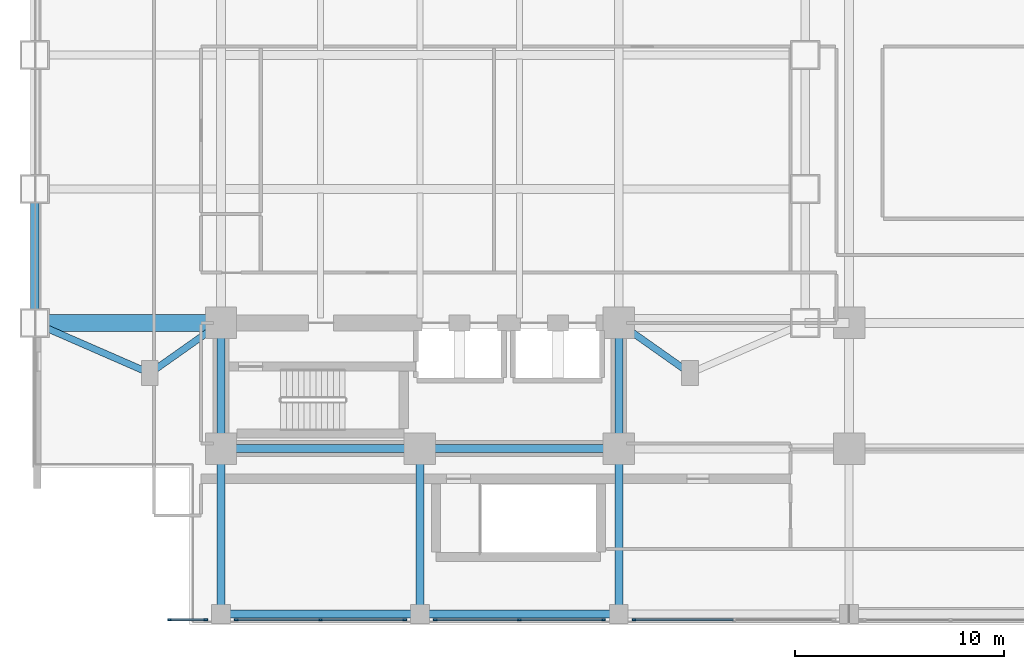
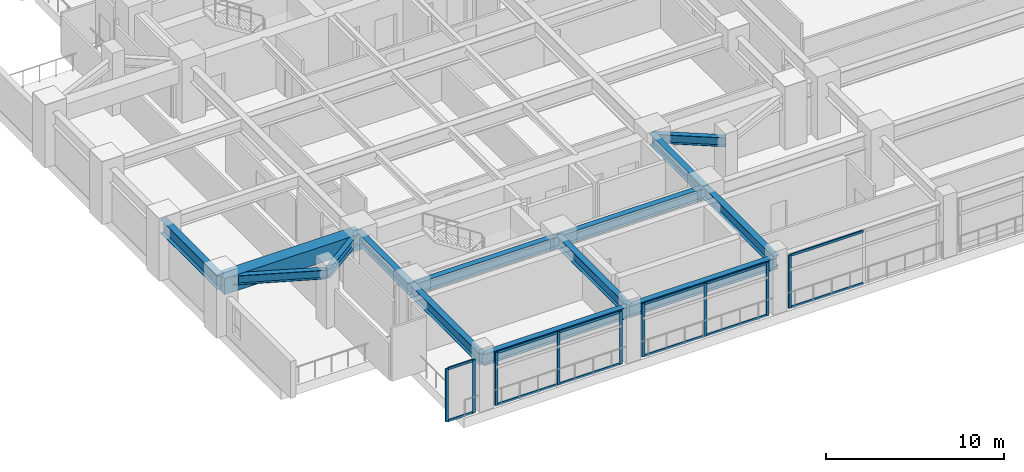
# One storey, part 2 of 27: 21 members, 14 beams, 4 elements without a shape of their own.
"""IFC4 building model written with IfcOpenShell, lengths in metres."""

from ifc_helpers import new_model, si_unit, direction, frame, origin, origin_2d, place, context, subcontext, project, spatial, rectangle, i_section, extrude, material, material_profile, profile_set, type_object, element, aggregate, save


model = new_model("IFC4")

# Units and contexts
model_context = context("Model", 3, precision=1e-05, world=origin(), true_north=direction((0.0, 1.0)))
body_context = subcontext(model_context, "Body", "Model", "MODEL_VIEW")
ifc_project = project(units=[si_unit("LENGTHUNIT", "METRE"), si_unit("AREAUNIT", "SQUARE_METRE"), si_unit("VOLUMEUNIT", "CUBIC_METRE"), si_unit("PLANEANGLEUNIT", "RADIAN"), si_unit("MASSUNIT", "GRAM", prefix="KILO")], contexts=[model_context])

# Site, building, storey
site_placement = place(None, origin())
site = spatial("IfcSite", under=ifc_project, at=site_placement, CompositionType="ELEMENT")
building_placement = place(site_placement, origin())
building = spatial("IfcBuilding", under=site, at=building_placement, Name="Mirazonda Arch Towers", CompositionType="ELEMENT")
storey_placement = place(building_placement, frame((0.0, 0.0, 18.10009765625)))
storey = spatial("IfcBuildingStorey", under=building, at=storey_placement, Name="L04", CompositionType="ELEMENT", Elevation=18.10009765625)

# Beams
ifc_material_1 = material(Name="Steel ASTM A992 Grade 50", Category="steel")
ifc_material_profile_1 = material_profile(ifc_material_1, i_section(OverallWidth=0.381103515625, OverallDepth=0.77294921875, WebThickness=0.0166015625, FlangeThickness=0.027099609375, at=origin_2d()), Name="W30X173")
ifc_profile_set_1 = profile_set([ifc_material_profile_1], Name="Steel ASTM A992 Grade 50")
beam_type_1 = type_object("IfcBeamType", Name="BM-EXT-W30X173", PredefinedType="USERDEFINED", material=ifc_profile_set_1)
for number, where, z_axis, x_axis, name in (
    (1, (11.0, 4.5, 3.263427734375), (1.0, 0.0, 0.0), (0.0, 1.0, 0.0), "L04 Floor Beam BM-POD-L04-PS-1"),
    (2, (20.5, 4.5, 3.263427734375), (1.0, 0.0, 0.0), (0.0, 1.0, 0.0), "L04 Floor Beam BM-POD-L04-PS-2"),
):
    element("IfcBeam", number, at=place(storey_placement, frame(where, z_axis=z_axis, x_axis=x_axis)), inside=storey, type_object=beam_type_1, Name=name, ObjectType="GIRDER", PredefinedType="USERDEFINED", context=body_context, shape_type="SweptSolid", body=[
        extrude(i_section(OverallWidth=0.381103515625, OverallDepth=0.77294921875, WebThickness=0.0166015625, FlangeThickness=0.027099609375, at=origin_2d()), origin(), (0.0, 0.0, 1.0), 9.5),
    ])
ifc_material_profile_2 = material_profile(ifc_material_1, i_section(OverallWidth=0.41796875, OverallDepth=0.927001953125, WebThickness=0.019287109375, FlangeThickness=0.031982421875, at=origin_2d()), Name="W36X231")
ifc_profile_set_2 = profile_set([ifc_material_profile_2], Name="Steel ASTM A992 Grade 50")
beam_type_2 = type_object("IfcBeamType", Name="BM-EXT-W36X231", PredefinedType="USERDEFINED", material=ifc_profile_set_2)
beam_1_placement = place(storey_placement, frame((2.10009765625, 18.39990234375, 3.1865234375), z_axis=(0.0, 1.0, 0.0), x_axis=(-1.0, 0.0, 0.0)))
element("IfcBeam", 3, at=beam_1_placement, inside=storey, type_object=beam_type_2, Name="L04 Floor Beam BM-T1-L04-NS-W-18", ObjectType="GIRDER", PredefinedType="USERDEFINED", context=body_context, shape_type="SweptSolid", body=[
    extrude(i_section(OverallWidth=0.41796875, OverallDepth=0.927001953125, WebThickness=0.019287109375, FlangeThickness=0.031982421875, at=origin_2d()), origin(), (0.0, 0.0, 1.0), 6.400146484375),
])
ifc_material_profile_3 = material_profile(ifc_material_1, i_section(OverallWidth=0.324951171875, OverallDepth=0.615966796875, WebThickness=0.013916015625, FlangeThickness=0.021484375, at=origin_2d()), Name="W24X117")
ifc_profile_set_3 = profile_set([ifc_material_profile_3], Name="Steel ASTM A992 Grade 50")
beam_type_3 = type_object("IfcBeamType", Name="BM-INT-W24X117", PredefinedType="BEAM", material=ifc_profile_set_3)
beam_2_placement = place(storey_placement, frame((7.60009765625, 16.0, 3.341796875), z_axis=(0.816971114901, 0.576678591087, 0.0), x_axis=(-0.576678591087, 0.816971114901, 0.0)))
element("IfcBeam", 4, at=beam_2_placement, inside=storey, type_object=beam_type_3, Name="L04 Floor Beam BM-T1-L04-PL-SW1", PredefinedType="BEAM", context=body_context, shape_type="SweptSolid", body=[
    extrude(i_section(OverallWidth=0.324951171875, OverallDepth=0.615966796875, WebThickness=0.013916015625, FlangeThickness=0.021484375, at=origin_2d()), origin(), (0.0, 0.0, 1.0), 4.16162109375),
])
beam_3_placement = place(storey_placement, frame((7.60009765625, 16.0, 3.341796875), z_axis=(-0.916545343703, 0.399930785183, 0.0), x_axis=(-0.399930785183, -0.916545343703, 0.0)))
element("IfcBeam", 5, at=beam_3_placement, inside=storey, type_object=beam_type_3, Name="L04 Floor Beam BM-T1-L04-PL-SW2", PredefinedType="BEAM", context=body_context, shape_type="SweptSolid", body=[
    extrude(i_section(OverallWidth=0.324951171875, OverallDepth=0.615966796875, WebThickness=0.013916015625, FlangeThickness=0.021484375, at=origin_2d()), origin(), (0.0, 0.0, 1.0), 6.000732421875),
])
beam_4_placement = place(storey_placement, frame((33.39990234375, 16.0, 3.341796875), z_axis=(-0.816971114901, 0.576678591087, 0.0), x_axis=(-0.576678591087, -0.816971114901, 0.0)))
element("IfcBeam", 6, at=beam_4_placement, inside=storey, type_object=beam_type_3, Name="L04 Floor Beam BM-T1-L04-PL-SE1", PredefinedType="BEAM", context=body_context, shape_type="SweptSolid", body=[
    extrude(i_section(OverallWidth=0.324951171875, OverallDepth=0.615966796875, WebThickness=0.013916015625, FlangeThickness=0.021484375, at=origin_2d()), origin(), (0.0, 0.0, 1.0), 4.16162109375),
])
ifc_material_profile_4 = material_profile(ifc_material_1, i_section(OverallWidth=0.381103515625, OverallDepth=0.77294921875, WebThickness=0.0166015625, FlangeThickness=0.027099609375, at=origin_2d()), Name="W30X173")
ifc_profile_set_4 = profile_set([ifc_material_profile_4], Name="Steel ASTM A992 Grade 50")
beam_type_4 = type_object("IfcBeamType", Name="BM-INT-W30X173", PredefinedType="USERDEFINED", material=ifc_profile_set_4)
for number, where, z_axis, x_axis, name in (
    (7, (11.0, 12.39990234375, 3.263427734375), (1.0, 0.0, 0.0), (0.0, 1.0, 0.0), "L04 Floor Beam BM-T1-L04-CS1"),
    (8, (20.5, 12.39990234375, 3.263427734375), (1.0, 0.0, 0.0), (0.0, 1.0, 0.0), "L04 Floor Beam BM-T1-L04-CS2"),
):
    element("IfcBeam", number, at=place(storey_placement, frame(where, z_axis=z_axis, x_axis=x_axis)), inside=storey, type_object=beam_type_4, Name=name, ObjectType="GIRDER", PredefinedType="USERDEFINED", context=body_context, shape_type="SweptSolid", body=[
        extrude(i_section(OverallWidth=0.381103515625, OverallDepth=0.77294921875, WebThickness=0.0166015625, FlangeThickness=0.027099609375, at=origin_2d()), origin(), (0.0, 0.0, 1.0), 9.5),
    ])
for number, where, z_axis, x_axis, name in (
    (9, (11.0, 12.39990234375, 3.263427734375), (0.0, 1.0, 0.0), (-1.0, 0.0, 0.0), "L04 Floor Beam BM-T1-L04-CSW"),
    (10, (30.0, 12.39990234375, 3.263427734375), (0.0, 1.0, 0.0), (-1.0, 0.0, 0.0), "L04 Floor Beam BM-T1-L04-CSE"),
):
    element("IfcBeam", number, at=place(storey_placement, frame(where, z_axis=z_axis, x_axis=x_axis)), inside=storey, type_object=beam_type_4, Name=name, ObjectType="GIRDER", PredefinedType="USERDEFINED", context=body_context, shape_type="SweptSolid", body=[
        extrude(i_section(OverallWidth=0.381103515625, OverallDepth=0.77294921875, WebThickness=0.0166015625, FlangeThickness=0.027099609375, at=origin_2d()), origin(), (0.0, 0.0, 1.0), 6.0),
    ])
for number, where, z_axis, x_axis, name in (
    (11, (11.0, 4.5, 3.263427734375), (0.0, 1.0, 0.0), (-1.0, 0.0, 0.0), "L04 Floor Beam BM-POD-L04-PCS-1"),
    (12, (20.5, 4.5, 3.263427734375), (0.0, 1.0, 0.0), (-1.0, 0.0, 0.0), "L04 Floor Beam BM-POD-L04-PCS-2"),
    (13, (30.0, 4.5, 3.263427734375), (0.0, 1.0, 0.0), (-1.0, 0.0, 0.0), "L04 Floor Beam BM-POD-L04-PCS-3"),
):
    element("IfcBeam", number, at=place(storey_placement, frame(where, z_axis=z_axis, x_axis=x_axis)), inside=storey, type_object=beam_type_4, Name=name, ObjectType="GIRDER", PredefinedType="USERDEFINED", context=body_context, shape_type="SweptSolid", body=[
        extrude(i_section(OverallWidth=0.381103515625, OverallDepth=0.77294921875, WebThickness=0.0166015625, FlangeThickness=0.027099609375, at=origin_2d()), origin(), (0.0, 0.0, 1.0), 7.89990234375),
    ])
ifc_material_2 = material(Name="Concrete C60/75", Category="concrete")
ifc_material_profile_5 = material_profile(ifc_material_2, rectangle(XDim=0.800048828125, YDim=1.10009765625, at=origin_2d()), Name="RCCB800x1100")
ifc_profile_set_5 = profile_set([ifc_material_profile_5], Name="Concrete C60/75")
beam_type_5 = type_object("IfcBeamType", Name="CB-INT-RCCB800x1100", PredefinedType="SPANDREL", material=ifc_profile_set_5)
beam_5_placement = place(storey_placement, frame((2.10009765625, 18.39990234375, 3.099853515625), z_axis=(1.0, 0.0, 0.0), x_axis=(0.0, 1.0, 0.0)))
element("IfcBeam", 14, at=beam_5_placement, inside=storey, type_object=beam_type_5, Name="L04 Floor Beam CB-T1-L04-SW", PredefinedType="SPANDREL", context=body_context, shape_type="SweptSolid", body=[
    extrude(rectangle(XDim=0.800048828125, YDim=1.10009765625, at=origin_2d()), origin(), (0.0, 0.0, 1.0), 8.89990234375),
])

# Curtain wall, member
ifc_material_3 = material(Name="Anodised Aluminium and Low-E Glass", Category="aluminium")
curtain_wall_type = type_object("IfcCurtainWallType", Name="CW-POD-STORE", PredefinedType="NOTDEFINED", material=ifc_material_3)
curtain_wall_1_placement = place(storey_placement, origin())
curtain_wall_1 = element("IfcCurtainWall", 15, at=curtain_wall_1_placement, inside=storey, type_object=curtain_wall_type, Name="L04 Curtain Wall CW-L04-S1-S5", PredefinedType="NOTDEFINED")
ifc_material_4 = material(Name="Anodised Aluminium Alloy", Category="aluminium")
ifc_material_profile_6 = material_profile(ifc_material_4, rectangle(XDim=0.080078125, YDim=0.179931640625, at=origin_2d()), Name="ALU-MULL-80x180")
ifc_profile_set_6 = profile_set([ifc_material_profile_6], Name="Anodised Aluminium Alloy")
member_type_1 = type_object("IfcMemberType", Name="MULL-CW-POD-STORE", PredefinedType="MULLION", material=ifc_profile_set_6)
member_1_placement = place(storey_placement, frame((30.72998046875, 4.219970703125, 0.0), z_axis=(0.0, 0.0, 1.0), x_axis=(0.0, -1.0, 0.0)))
member_1 = element("IfcMember", 16, at=member_1_placement, type_object=member_type_1, Name="CW-102 mullion 3", PredefinedType="MULLION", context=body_context, shape_type="SweptSolid", body=[
    extrude(rectangle(XDim=0.080078125, YDim=0.179931640625, at=origin_2d()), origin(), (0.0, 0.0, 1.0), 3.6298828125),
])

# Curtain wall, members
curtain_wall_2_placement = place(storey_placement, origin())
curtain_wall_2 = element("IfcCurtainWall", 17, at=curtain_wall_2_placement, inside=storey, type_object=curtain_wall_type, Name="L04 Curtain Wall CW-L04-S1-S6", PredefinedType="NOTDEFINED")
member_2_placement = place(storey_placement, frame((29.27001953125, 4.219970703125, 0.0), z_axis=(0.0, 0.0, 1.0), x_axis=(0.0, -1.0, 0.0)))
member_2 = element("IfcMember", 18, at=member_2_placement, type_object=member_type_1, Name="CW-102 mullion 1", PredefinedType="MULLION", context=body_context, shape_type="SweptSolid", body=[
    extrude(rectangle(XDim=0.080078125, YDim=0.179931640625, at=origin_2d()), origin(), (0.0, 0.0, 1.0), 3.6298828125),
])
member_3_placement = place(storey_placement, frame((25.25, 4.219970703125, 0.0), z_axis=(0.0, 0.0, 1.0), x_axis=(0.0, -1.0, 0.0)))
member_3 = element("IfcMember", 19, at=member_3_placement, type_object=member_type_1, Name="CW-102 mullion 2", PredefinedType="MULLION", context=body_context, shape_type="SweptSolid", body=[
    extrude(rectangle(XDim=0.080078125, YDim=0.179931640625, at=origin_2d()), origin(), (0.0, 0.0, 1.0), 3.6298828125),
])
member_4_placement = place(storey_placement, frame((21.22998046875, 4.219970703125, 0.0), z_axis=(0.0, 0.0, 1.0), x_axis=(0.0, -1.0, 0.0)))
member_4 = element("IfcMember", 20, at=member_4_placement, type_object=member_type_1, Name="CW-102 mullion 3", PredefinedType="MULLION", context=body_context, shape_type="SweptSolid", body=[
    extrude(rectangle(XDim=0.080078125, YDim=0.179931640625, at=origin_2d()), origin(), (0.0, 0.0, 1.0), 3.6298828125),
])

curtain_wall_3_placement = place(storey_placement, origin())
curtain_wall_3 = element("IfcCurtainWall", 21, at=curtain_wall_3_placement, inside=storey, type_object=curtain_wall_type, Name="L04 Curtain Wall CW-L04-S1-S7", PredefinedType="NOTDEFINED")
member_5_placement = place(storey_placement, frame((19.77001953125, 4.219970703125, 0.0), z_axis=(0.0, 0.0, 1.0), x_axis=(0.0, -1.0, 0.0)))
member_5 = element("IfcMember", 22, at=member_5_placement, type_object=member_type_1, Name="CW-102 mullion 1", PredefinedType="MULLION", context=body_context, shape_type="SweptSolid", body=[
    extrude(rectangle(XDim=0.080078125, YDim=0.179931640625, at=origin_2d()), origin(), (0.0, 0.0, 1.0), 3.6298828125),
])
member_6_placement = place(storey_placement, frame((15.75, 4.219970703125, 0.0), z_axis=(0.0, 0.0, 1.0), x_axis=(0.0, -1.0, 0.0)))
member_6 = element("IfcMember", 23, at=member_6_placement, type_object=member_type_1, Name="CW-102 mullion 2", PredefinedType="MULLION", context=body_context, shape_type="SweptSolid", body=[
    extrude(rectangle(XDim=0.080078125, YDim=0.179931640625, at=origin_2d()), origin(), (0.0, 0.0, 1.0), 3.6298828125),
])
member_7_placement = place(storey_placement, frame((11.72998046875, 4.219970703125, 0.0), z_axis=(0.0, 0.0, 1.0), x_axis=(0.0, -1.0, 0.0)))
member_7 = element("IfcMember", 24, at=member_7_placement, type_object=member_type_1, Name="CW-102 mullion 3", PredefinedType="MULLION", context=body_context, shape_type="SweptSolid", body=[
    extrude(rectangle(XDim=0.080078125, YDim=0.179931640625, at=origin_2d()), origin(), (0.0, 0.0, 1.0), 3.6298828125),
])

curtain_wall_4_placement = place(storey_placement, origin())
curtain_wall_4 = element("IfcCurtainWall", 25, at=curtain_wall_4_placement, inside=storey, type_object=curtain_wall_type, Name="L04 Curtain Wall CW-L04-S1-S8", PredefinedType="NOTDEFINED")
member_8_placement = place(storey_placement, frame((10.27001953125, 4.219970703125, 0.0), z_axis=(0.0, 0.0, 1.0), x_axis=(0.0, -1.0, 0.0)))
member_8 = element("IfcMember", 26, at=member_8_placement, type_object=member_type_1, Name="CW-102 mullion 1", PredefinedType="MULLION", context=body_context, shape_type="SweptSolid", body=[
    extrude(rectangle(XDim=0.080078125, YDim=0.179931640625, at=origin_2d()), origin(), (0.0, 0.0, 1.0), 3.6298828125),
])
member_9_placement = place(storey_placement, frame((8.5400390625, 4.219970703125, 0.0), z_axis=(0.0, 0.0, 1.0), x_axis=(0.0, -1.0, 0.0)))
member_9 = element("IfcMember", 27, at=member_9_placement, type_object=member_type_1, Name="CW-102 mullion 2", PredefinedType="MULLION", context=body_context, shape_type="SweptSolid", body=[
    extrude(rectangle(XDim=0.080078125, YDim=0.179931640625, at=origin_2d()), origin(), (0.0, 0.0, 1.0), 3.6298828125),
])

# Member
ifc_material_profile_7 = material_profile(ifc_material_4, rectangle(XDim=0.080078125, YDim=0.159912109375, at=origin_2d()), Name="ALU-TRAN-80x160")
ifc_profile_set_7 = profile_set([ifc_material_profile_7], Name="Anodised Aluminium Alloy")
member_type_2 = type_object("IfcMemberType", Name="TRAN-CW-POD-STORE", PredefinedType="USERDEFINED", material=ifc_profile_set_7)
member_10_placement = place(storey_placement, frame((35.4599609375, 4.219970703125, 0.039794921875), z_axis=(-1.0, 0.0, 0.0), x_axis=(0.0, -1.0, 0.0)))
member_10 = element("IfcMember", 28, at=member_10_placement, type_object=member_type_2, Name="CW-102 transom 2.1", ObjectType="TRANSOM", PredefinedType="USERDEFINED", context=body_context, shape_type="SweptSolid", body=[
    extrude(rectangle(XDim=0.080078125, YDim=0.159912109375, at=origin_2d()), origin(), (0.0, 0.0, 1.0), 4.68994140625),
])

member_11_placement = place(storey_placement, frame((35.4599609375, 4.219970703125, 3.58984375), z_axis=(-1.0, 0.0, 0.0), x_axis=(0.0, -1.0, 0.0)))
member_11 = element("IfcMember", 29, at=member_11_placement, type_object=member_type_2, Name="CW-102 transom 2.2", ObjectType="TRANSOM", PredefinedType="USERDEFINED", context=body_context, shape_type="SweptSolid", body=[
    extrude(rectangle(XDim=0.080078125, YDim=0.159912109375, at=origin_2d()), origin(), (0.0, 0.0, 1.0), 4.68994140625),
])

aggregate(curtain_wall_1, [member_1, member_10, member_11])

member_12_placement = place(storey_placement, frame((29.22998046875, 4.219970703125, 0.039794921875), z_axis=(-1.0, 0.0, 0.0), x_axis=(0.0, -1.0, 0.0)))
member_12 = element("IfcMember", 30, at=member_12_placement, type_object=member_type_2, Name="CW-102 transom 1.1", ObjectType="TRANSOM", PredefinedType="USERDEFINED", context=body_context, shape_type="SweptSolid", body=[
    extrude(rectangle(XDim=0.080078125, YDim=0.159912109375, at=origin_2d()), origin(), (0.0, 0.0, 1.0), 3.93994140625),
])

member_13_placement = place(storey_placement, frame((29.22998046875, 4.219970703125, 3.58984375), z_axis=(-1.0, 0.0, 0.0), x_axis=(0.0, -1.0, 0.0)))
member_13 = element("IfcMember", 31, at=member_13_placement, type_object=member_type_2, Name="CW-102 transom 1.2", ObjectType="TRANSOM", PredefinedType="USERDEFINED", context=body_context, shape_type="SweptSolid", body=[
    extrude(rectangle(XDim=0.080078125, YDim=0.159912109375, at=origin_2d()), origin(), (0.0, 0.0, 1.0), 3.93994140625),
])

member_14_placement = place(storey_placement, frame((25.2099609375, 4.219970703125, 0.039794921875), z_axis=(-1.0, 0.0, 0.0), x_axis=(0.0, -1.0, 0.0)))
member_14 = element("IfcMember", 32, at=member_14_placement, type_object=member_type_2, Name="CW-102 transom 2.1", ObjectType="TRANSOM", PredefinedType="USERDEFINED", context=body_context, shape_type="SweptSolid", body=[
    extrude(rectangle(XDim=0.080078125, YDim=0.159912109375, at=origin_2d()), origin(), (0.0, 0.0, 1.0), 3.93994140625),
])

member_15_placement = place(storey_placement, frame((25.2099609375, 4.219970703125, 3.58984375), z_axis=(-1.0, 0.0, 0.0), x_axis=(0.0, -1.0, 0.0)))
member_15 = element("IfcMember", 33, at=member_15_placement, type_object=member_type_2, Name="CW-102 transom 2.2", ObjectType="TRANSOM", PredefinedType="USERDEFINED", context=body_context, shape_type="SweptSolid", body=[
    extrude(rectangle(XDim=0.080078125, YDim=0.159912109375, at=origin_2d()), origin(), (0.0, 0.0, 1.0), 3.93994140625),
])

aggregate(curtain_wall_2, [member_2, member_3, member_4, member_12, member_13, member_14, member_15])

member_16_placement = place(storey_placement, frame((19.72998046875, 4.219970703125, 0.039794921875), z_axis=(-1.0, 0.0, 0.0), x_axis=(0.0, -1.0, 0.0)))
member_16 = element("IfcMember", 34, at=member_16_placement, type_object=member_type_2, Name="CW-102 transom 1.1", ObjectType="TRANSOM", PredefinedType="USERDEFINED", context=body_context, shape_type="SweptSolid", body=[
    extrude(rectangle(XDim=0.080078125, YDim=0.159912109375, at=origin_2d()), origin(), (0.0, 0.0, 1.0), 3.93994140625),
])

member_17_placement = place(storey_placement, frame((19.72998046875, 4.219970703125, 3.58984375), z_axis=(-1.0, 0.0, 0.0), x_axis=(0.0, -1.0, 0.0)))
member_17 = element("IfcMember", 35, at=member_17_placement, type_object=member_type_2, Name="CW-102 transom 1.2", ObjectType="TRANSOM", PredefinedType="USERDEFINED", context=body_context, shape_type="SweptSolid", body=[
    extrude(rectangle(XDim=0.080078125, YDim=0.159912109375, at=origin_2d()), origin(), (0.0, 0.0, 1.0), 3.93994140625),
])

member_18_placement = place(storey_placement, frame((15.7099609375, 4.219970703125, 0.039794921875), z_axis=(-1.0, 0.0, 0.0), x_axis=(0.0, -1.0, 0.0)))
member_18 = element("IfcMember", 36, at=member_18_placement, type_object=member_type_2, Name="CW-102 transom 2.1", ObjectType="TRANSOM", PredefinedType="USERDEFINED", context=body_context, shape_type="SweptSolid", body=[
    extrude(rectangle(XDim=0.080078125, YDim=0.159912109375, at=origin_2d()), origin(), (0.0, 0.0, 1.0), 3.93994140625),
])

member_19_placement = place(storey_placement, frame((15.7099609375, 4.219970703125, 3.58984375), z_axis=(-1.0, 0.0, 0.0), x_axis=(0.0, -1.0, 0.0)))
member_19 = element("IfcMember", 37, at=member_19_placement, type_object=member_type_2, Name="CW-102 transom 2.2", ObjectType="TRANSOM", PredefinedType="USERDEFINED", context=body_context, shape_type="SweptSolid", body=[
    extrude(rectangle(XDim=0.080078125, YDim=0.159912109375, at=origin_2d()), origin(), (0.0, 0.0, 1.0), 3.93994140625),
])

aggregate(curtain_wall_3, [member_5, member_6, member_7, member_16, member_17, member_18, member_19])

member_20_placement = place(storey_placement, frame((10.22998046875, 4.219970703125, 0.039794921875), z_axis=(-1.0, 0.0, 0.0), x_axis=(0.0, -1.0, 0.0)))
member_20 = element("IfcMember", 38, at=member_20_placement, type_object=member_type_2, Name="CW-102 transom 1.1", ObjectType="TRANSOM", PredefinedType="USERDEFINED", context=body_context, shape_type="SweptSolid", body=[
    extrude(rectangle(XDim=0.080078125, YDim=0.159912109375, at=origin_2d()), origin(), (0.0, 0.0, 1.0), 1.64990234375),
])

member_21_placement = place(storey_placement, frame((10.22998046875, 4.219970703125, 3.58984375), z_axis=(-1.0, 0.0, 0.0), x_axis=(0.0, -1.0, 0.0)))
member_21 = element("IfcMember", 39, at=member_21_placement, type_object=member_type_2, Name="CW-102 transom 1.2", ObjectType="TRANSOM", PredefinedType="USERDEFINED", context=body_context, shape_type="SweptSolid", body=[
    extrude(rectangle(XDim=0.080078125, YDim=0.159912109375, at=origin_2d()), origin(), (0.0, 0.0, 1.0), 1.64990234375),
])

aggregate(curtain_wall_4, [member_8, member_9, member_20, member_21])

save(model, "model.ifc")
